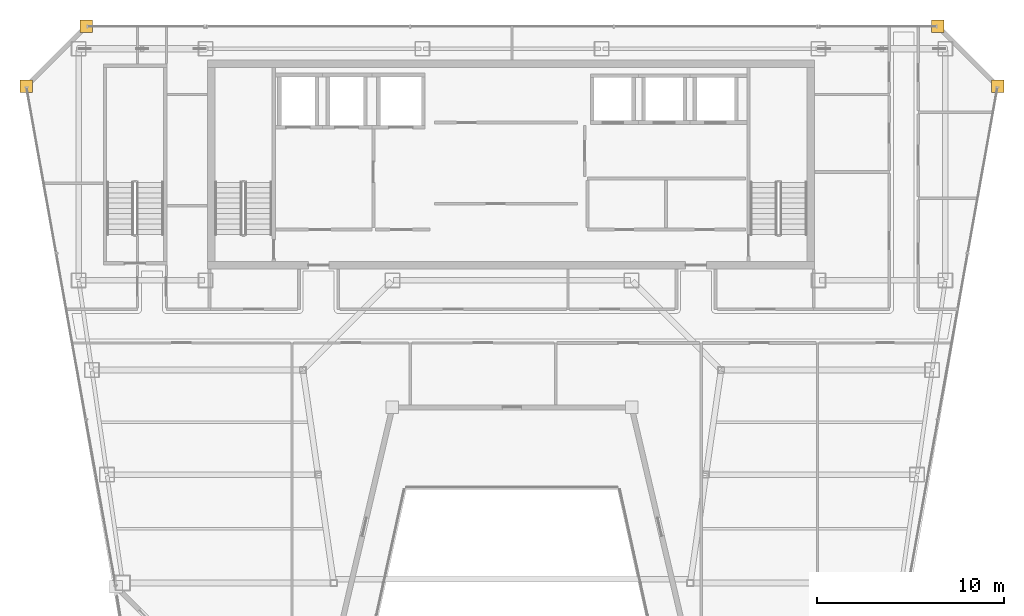
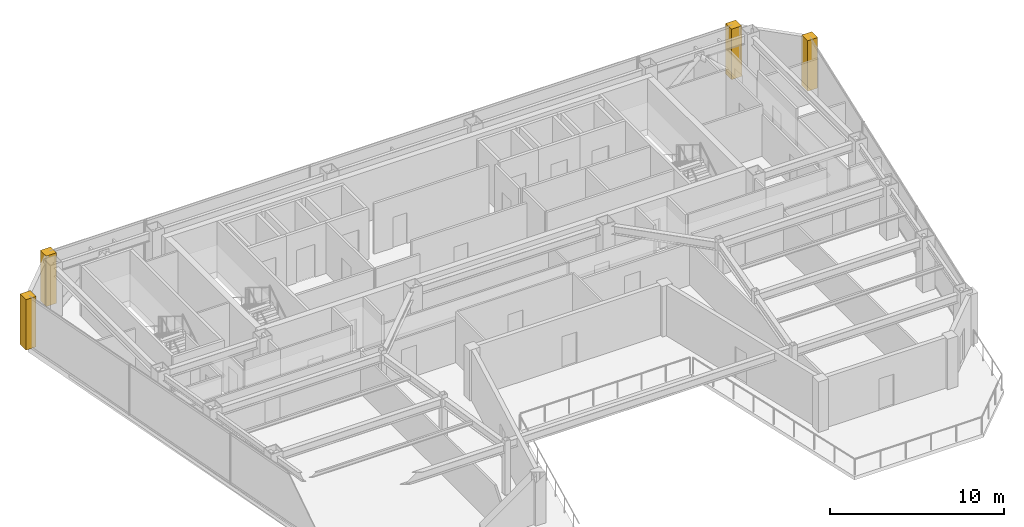
# One storey, part 28 of 28: 4 coverings.
"""IFC4 building model written with IfcOpenShell, lengths in metres."""

import ifcopenshell
import ifcopenshell.guid

model = None  # the IFC model being written
_history = None  # IfcOwnerHistory: only IFC2X3 demands one
_inside = {}  # id of a spatial element -> (the spatial element, [elements in it])
_under = {}  # id of a project, library or spatial element -> (it, [spatial elements below it])
_declared = {}  # id of a project -> (the project, [libraries it declares])
_typed = {}  # id of a type object -> (the type object, [elements of that type])
_made_of = {}  # id of a material, layer set ... -> (it, [elements and type objects made of it])


def new_model(schema):
    """Start an empty IFC model of exactly this schema.

    Asked for "IFC4X3", IfcOpenShell would pick the latest addendum, in which some entities
    have other attributes; the version numbers below select the first issue.
    IFC2X3 requires an IfcOwnerHistory on every rooted entity: one is made here for all.
    """
    global model, _history
    if schema == "IFC4X3":
        model = ifcopenshell.file(schema_version=(4, 3, 0, 0))
    else:
        model = ifcopenshell.file(schema=schema)
    _inside.clear()
    _under.clear()
    _declared.clear()
    _typed.clear()
    _made_of.clear()
    _history = None
    if model.schema == "IFC2X3":
        org = make("IfcOrganization", Name="unknown")
        user = make(
            "IfcPersonAndOrganization",
            ThePerson=make("IfcPerson", FamilyName="unknown"),
            TheOrganization=org,
        )
        app = make(
            "IfcApplication",
            ApplicationDeveloper=org,
            Version="unknown",
            ApplicationFullName="unknown",
            ApplicationIdentifier="unknown",
        )
        _history = make(
            "IfcOwnerHistory",
            OwningUser=user,
            OwningApplication=app,
            ChangeAction="ADDED",
            CreationDate=0,
        )
    return model


def make(cls, **values):
    """One entity of the class cls with the attributes given. An attribute that is None is left unset."""
    return model.create_entity(
        cls, **{name: value for name, value in values.items() if value is not None}
    )


def rooted(cls, **values):
    """An entity with a GlobalId (a new one), such as an element, a storey or a relation."""
    return make(cls, GlobalId=ifcopenshell.guid.new(), OwnerHistory=_history, **values)


def si_unit(unit_type, name, prefix=None):
    """IfcSIUnit, for example si_unit("LENGTHUNIT", "METRE", prefix="MILLI")."""
    return make("IfcSIUnit", UnitType=unit_type, Prefix=prefix, Name=name)


def assignment(units):
    """IfcUnitAssignment: the units of a project."""
    return None if units is None else make("IfcUnitAssignment", Units=units)


def point(xyz):
    """IfcCartesianPoint."""
    return None if xyz is None else make("IfcCartesianPoint", Coordinates=xyz)


def direction(xyz):
    """IfcDirection."""
    return None if xyz is None else make("IfcDirection", DirectionRatios=xyz)


def frame(location, z_axis=None, x_axis=None):
    """IfcAxis2Placement3D, a coordinate frame: its origin and axes. An axis left out is left unset."""
    return make(
        "IfcAxis2Placement3D",
        Location=point(location),
        Axis=direction(z_axis),
        RefDirection=direction(x_axis),
    )


def origin():
    """The frame at (0, 0, 0) with its axes left unset."""
    return frame((0.0, 0.0, 0.0))


def place(relative_to, where):
    """IfcLocalPlacement: puts the frame where relative to a parent placement (None: the world)."""
    return make(
        "IfcLocalPlacement", PlacementRelTo=relative_to, RelativePlacement=where
    )


def context(
    kind, dimensions, precision=None, world=None, true_north=None, identifier=None
):
    """IfcGeometricRepresentationContext, for example the 3D "Model" context."""
    return make(
        "IfcGeometricRepresentationContext",
        ContextIdentifier=identifier,
        ContextType=kind,
        CoordinateSpaceDimension=dimensions,
        Precision=precision,
        WorldCoordinateSystem=world,
        TrueNorth=true_north,
    )


def subcontext(parent, identifier, kind, view, scale=None):
    """IfcGeometricRepresentationSubContext, for example "Body" below "Model"."""
    return make(
        "IfcGeometricRepresentationSubContext",
        ContextIdentifier=identifier,
        ContextType=kind,
        ParentContext=parent,
        TargetScale=scale,
        TargetView=view,
    )


def project(units=None, contexts=None):
    """IfcProject with its units and contexts."""
    return rooted(
        "IfcProject",
        Name="project",
        RepresentationContexts=contexts,
        UnitsInContext=assignment(units),
    )


def spatial(cls, under=None, at=None, **own):
    """A site, building, storey or space (cls), placed at a placement, below another one or the project."""
    s = rooted(cls, ObjectPlacement=at, **own)
    if under is not None:
        _under.setdefault(under.id(), (under, []))[1].append(s)
    return s


def polyline(points):
    """IfcPolyline through the points."""
    return make("IfcPolyline", Points=[point(p) for p in points])


def outline(outer, holes=None, kind="AREA"):
    """IfcArbitraryClosedProfileDef: a profile drawn as a closed curve; with holes, ...WithVoids."""
    if holes is None:
        return make("IfcArbitraryClosedProfileDef", ProfileType=kind, OuterCurve=outer)
    return make(
        "IfcArbitraryProfileDefWithVoids",
        ProfileType=kind,
        OuterCurve=outer,
        InnerCurves=holes,
    )


def extrude(swept, where, along, depth):
    """IfcExtrudedAreaSolid: the profile swept, set in the frame where, extruded along a direction by depth."""
    return make(
        "IfcExtrudedAreaSolid",
        SweptArea=swept,
        Position=where,
        ExtrudedDirection=direction(along),
        Depth=depth,
    )


def shape(context_of_items, identifier, shape_type, items):
    """IfcShapeRepresentation: the items that make up one representation, for example the "Body"."""
    return make(
        "IfcShapeRepresentation",
        ContextOfItems=context_of_items,
        RepresentationIdentifier=identifier,
        RepresentationType=shape_type,
        Items=items,
    )


def material(Name=None, Category=None):
    """IfcMaterial."""
    return make("IfcMaterial", Name=Name, Category=Category)


def layer(
    of_material, thickness, ventilated=None, Name=None, Category=None, Priority=None
):
    """IfcMaterialLayer: one layer of a wall or slab, of a material (None: an air gap)."""
    return make(
        "IfcMaterialLayer",
        Material=of_material,
        LayerThickness=thickness,
        IsVentilated=ventilated,
        Name=Name,
        Category=Category,
        Priority=Priority,
    )


def layer_set(layers, Name=None):
    """IfcMaterialLayerSet."""
    return make("IfcMaterialLayerSet", MaterialLayers=layers, LayerSetName=Name)


def made_of(thing, what):
    """Note that an element or type object is made of a material, layer set ...; save() writes the relation."""
    if what is not None:
        _made_of.setdefault(what.id(), (what, []))[1].append(thing)
    return thing


def type_object(cls, material=None, **own):
    """A type object (cls), such as IfcWallType, which elements share."""
    return made_of(rooted(cls, **own), material)


def element(
    cls,
    number,
    at=None,
    inside=None,
    cuts=None,
    type_object=None,
    material=None,
    context=None,
    identifier="Body",
    shape_type=None,
    held_by="IfcProductDefinitionShape",
    body=None,
    shapes=None,
    **own,
):
    """One element of the class cls, such as IfcWall. Its Tag is "e" and its number.

    at: its placement. inside: the storey or other place that contains it. cuts: it is an
    opening in that element (IfcRelVoidsElement). A single representation is given by context,
    identifier, shape_type and body (its items); several are given by shapes. held_by: the class
    of the entity that holds the representations. save() writes the other relations.
    """
    e = rooted(cls, Tag="e%d" % number, ObjectPlacement=at, **own)
    if body is not None:
        shapes = [shape(context, identifier, shape_type, body)]
    if shapes is not None:
        e.Representation = make(held_by, Representations=shapes)
    if inside is not None:
        _inside.setdefault(inside.id(), (inside, []))[1].append(e)
    if cuts is not None:
        rooted(
            "IfcRelVoidsElement", RelatingBuildingElement=cuts, RelatedOpeningElement=e
        )
    if type_object is not None:
        _typed.setdefault(type_object.id(), (type_object, []))[1].append(e)
    return made_of(e, material)


def aggregate(whole, parts):
    """IfcRelAggregates: a whole, such as a stair, and the parts it consists of."""
    return rooted("IfcRelAggregates", RelatingObject=whole, RelatedObjects=parts)


def save(model, path):
    """Write the relations noted so far, then the file.

    IfcRelAggregates (storeys below a building ...), IfcRelContainedInSpatialStructure (elements
    in a storey), IfcRelDefinesByType, IfcRelAssociatesMaterial and IfcRelDeclares: one each for
    every whole, place, type object, material and project.
    """
    for whole, parts in _under.values():
        aggregate(whole, parts)
    for where, things in _inside.values():
        rooted(
            "IfcRelContainedInSpatialStructure",
            RelatedElements=things,
            RelatingStructure=where,
        )
    for kind, things in _typed.values():
        rooted("IfcRelDefinesByType", RelatedObjects=things, RelatingType=kind)
    for what, things in _made_of.values():
        rooted("IfcRelAssociatesMaterial", RelatedObjects=things, RelatingMaterial=what)
    for by, libraries in _declared.values():
        rooted("IfcRelDeclares", RelatingContext=by, RelatedDefinitions=libraries)
    model.write(path)


model = new_model("IFC4")

# Units and contexts
model_context = context("Model", 3, precision=1e-05, world=origin(), true_north=direction((0.0, 1.0)))
body_context = subcontext(model_context, "Body", "Model", "MODEL_VIEW")
ifc_project = project(units=[si_unit("LENGTHUNIT", "METRE"), si_unit("AREAUNIT", "SQUARE_METRE"), si_unit("VOLUMEUNIT", "CUBIC_METRE"), si_unit("PLANEANGLEUNIT", "RADIAN"), si_unit("MASSUNIT", "GRAM", prefix="KILO")], contexts=[model_context])

# Site, building, storey
site_placement = place(None, origin())
site = spatial("IfcSite", under=ifc_project, at=site_placement, CompositionType="ELEMENT")
building_placement = place(site_placement, origin())
building = spatial("IfcBuilding", under=site, at=building_placement, Name="Saevonmaru Cultural Tower", CompositionType="ELEMENT")
storey_placement = place(building_placement, frame((0.0, 0.0, 253.39990234375)))
storey = spatial("IfcBuildingStorey", under=building, at=storey_placement, Name="L59", CompositionType="ELEMENT", Elevation=253.39990234375)

# Coverings
ifc_material = material(Name="Satin Bronze Anodised Aluminium", Category="aluminium")
ifc_layer = layer(ifc_material, 0.679931640625, Name="Satin Bronze Anodised Aluminium")
ifc_layer_set = layer_set([ifc_layer], Name="Satin Bronze Anodised Aluminium")
covering_type = type_object("IfcCoveringType", Name="CV-CORNER-CLAD", PredefinedType="CLADDING", material=ifc_layer_set)
covering_1_placement = place(storey_placement, origin())
element("IfcCovering", 1, at=covering_1_placement, inside=storey, type_object=covering_type, Name="L59 Tower Bronze Corner Cladding Pier 9", PredefinedType="CLADDING", context=body_context, shape_type="SweptSolid", body=[
    extrude(outline(polyline([(55.659912109375, 52.4599609375), (56.340087890625, 52.4599609375), (56.340087890625, 53.139892578125), (55.659912109375, 53.139892578125), (55.659912109375, 52.4599609375)])), origin(), (0.0, 0.0, 1.0), 3.550048828125),
])
covering_2_placement = place(storey_placement, origin())
element("IfcCovering", 2, at=covering_2_placement, inside=storey, type_object=covering_type, Name="L59 Tower Bronze Corner Cladding Pier 10", PredefinedType="CLADDING", context=body_context, shape_type="SweptSolid", body=[
    extrude(outline(polyline([(52.4599609375, 55.659912109375), (53.139892578125, 55.659912109375), (53.139892578125, 56.340087890625), (52.4599609375, 56.340087890625), (52.4599609375, 55.659912109375)])), origin(), (0.0, 0.0, 1.0), 3.550048828125),
])
covering_3_placement = place(storey_placement, origin())
element("IfcCovering", 3, at=covering_3_placement, inside=storey, type_object=covering_type, Name="L59 Tower Bronze Corner Cladding Pier 11", PredefinedType="CLADDING", context=body_context, shape_type="SweptSolid", body=[
    extrude(outline(polyline([(6.860107421875, 55.659912109375), (7.5400390625, 55.659912109375), (7.5400390625, 56.340087890625), (6.860107421875, 56.340087890625), (6.860107421875, 55.659912109375)])), origin(), (0.0, 0.0, 1.0), 3.550048828125),
])
covering_4_placement = place(storey_placement, origin())
element("IfcCovering", 4, at=covering_4_placement, inside=storey, type_object=covering_type, Name="L59 Tower Bronze Corner Cladding Pier 12", PredefinedType="CLADDING", context=body_context, shape_type="SweptSolid", body=[
    extrude(outline(polyline([(3.659912109375, 52.4599609375), (4.340087890625, 52.4599609375), (4.340087890625, 53.139892578125), (3.659912109375, 53.139892578125), (3.659912109375, 52.4599609375)])), origin(), (0.0, 0.0, 1.0), 3.550048828125),
])

save(model, "model.ifc")
